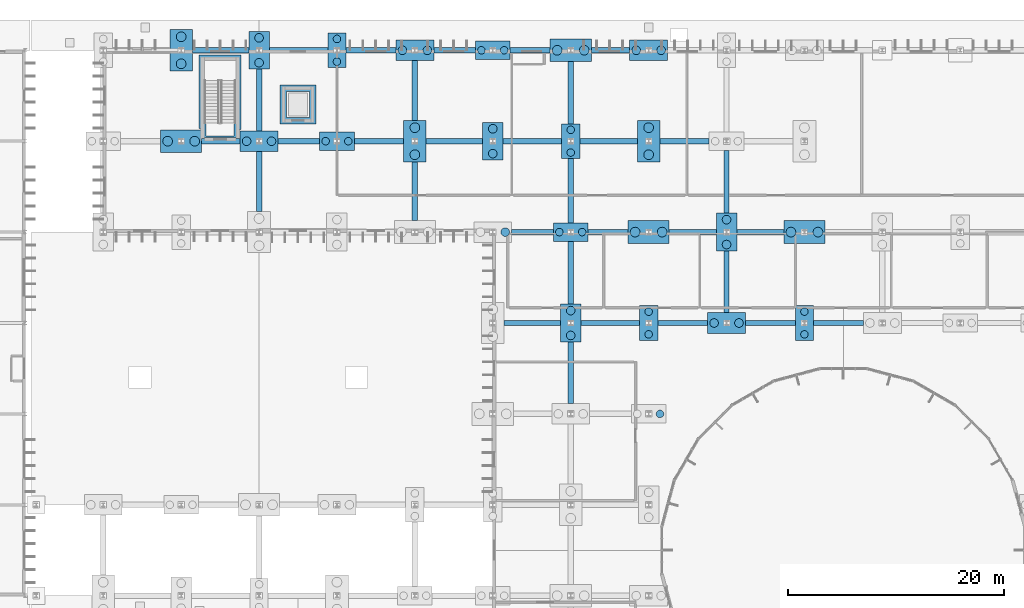
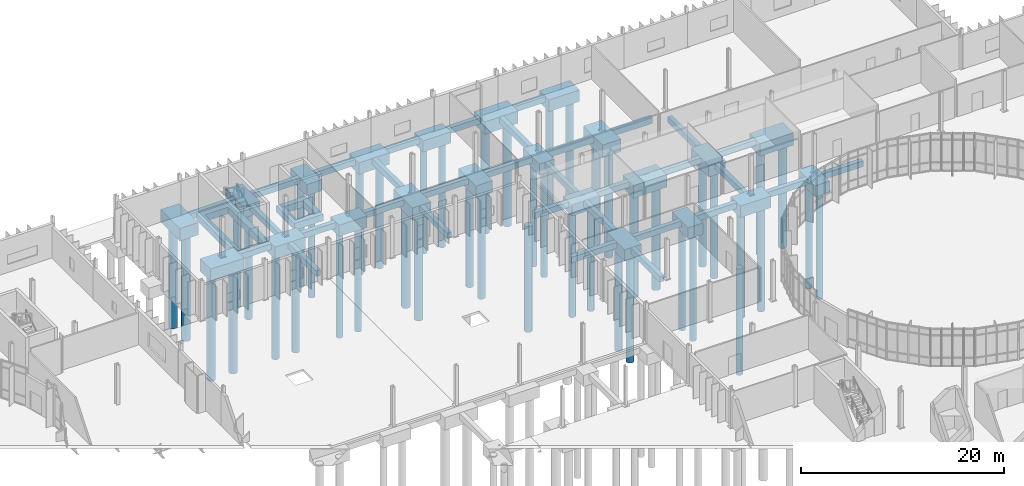
# One storey, part 4 of 118: 56 footings, 46 piles.
"""IFC4 building model written with IfcOpenShell, lengths in metres."""

from ifc_helpers import new_model, si_unit, direction, frame, origin, origin_2d, place, context, subcontext, project, spatial, polyline, rectangle, circle, outline, extrude, material, layer, layer_set, material_profile, profile_set, type_object, element, save


model = new_model("IFC4")

# Units and contexts
model_context = context("Model", 3, precision=1e-05, world=origin(), true_north=direction((0.0, 1.0)))
body_context = subcontext(model_context, "Body", "Model", "MODEL_VIEW")
ifc_project = project(units=[si_unit("LENGTHUNIT", "METRE"), si_unit("AREAUNIT", "SQUARE_METRE"), si_unit("VOLUMEUNIT", "CUBIC_METRE"), si_unit("PLANEANGLEUNIT", "RADIAN"), si_unit("MASSUNIT", "GRAM", prefix="KILO")], contexts=[model_context])

# Site, building, storey
site_placement = place(None, origin())
site = spatial("IfcSite", under=ifc_project, at=site_placement, CompositionType="ELEMENT")
building_placement = place(site_placement, origin())
building = spatial("IfcBuilding", under=site, at=building_placement, Name="Qelthora Terrace Specialist Clinic", CompositionType="ELEMENT")
storey_placement = place(building_placement, origin())
storey = spatial("IfcBuildingStorey", under=building, at=storey_placement, Name="L00", CompositionType="ELEMENT", Elevation=0.0)

# Footings
ifc_material = material(Name="Concrete C35/45", Category="concrete")
ifc_layer_1 = layer(ifc_material, 1.35009765625)
ifc_layer_set_1 = layer_set([ifc_layer_1], Name="Concrete C35/45")
footing_type_1 = type_object("IfcFootingType", Name="PC-1700X3200X1350", PredefinedType="PILE_CAP", material=ifc_layer_set_1)
for number, where, z_axis, x_axis, name in (
    (1, (79.199951171875, 109.199951171875, -1.610107421875), (0.0, 0.0, 1.0), (1.0, 0.0, 0.0), "Foundation FTG-L00-137"),
    (2, (100.800048828125, 100.800048828125, -1.610107421875), (0.0, 0.0, 1.0), (1.0, 0.0, 0.0), "Foundation FTG-L00-173"),
    (3, (108.0, 84.0, -1.610107421875), (0.0, 0.0, 1.0), (1.0, 0.0, 0.0), "Foundation FTG-L00-185"),
    (4, (122.39990234375, 84.0, -1.610107421875), (0.0, 0.0, 1.0), (1.0, 0.0, 0.0), "Foundation FTG-L00-203"),
):
    element("IfcFooting", number, at=place(storey_placement, frame(where, z_axis=z_axis, x_axis=x_axis)), inside=storey, type_object=footing_type_1, Name=name, PredefinedType="PILE_CAP", context=body_context, shape_type="SweptSolid", body=[
        extrude(rectangle(XDim=1.699951171875, YDim=3.199951171875, at=origin_2d()), origin(), (0.0, 0.0, 1.0), 1.35009765625),
    ])
ifc_layer_2 = layer(ifc_material, 1.39990234375)
ifc_layer_set_2 = layer_set([ifc_layer_2], Name="Concrete C35/45")
footing_type_2 = type_object("IfcFootingType", Name="PC-1900X3500X1400", PredefinedType="PILE_CAP", material=ifc_layer_set_2)
for number, where, z_axis, x_axis, name in (
    (5, (72.0, 109.199951171875, -1.659912109375), (0.0, 0.0, 1.0), (1.0, 0.0, 0.0), "Foundation FTG-L00-129"),
    (6, (93.60009765625, 100.800048828125, -1.659912109375), (0.0, 0.0, 1.0), (1.0, 0.0, 0.0), "Foundation FTG-L00-159"),
    (7, (100.800048828125, 84.0, -1.659912109375), (0.0, 0.0, 1.0), (1.0, 0.0, 0.0), "Foundation FTG-L00-171"),
    (8, (115.199951171875, 92.39990234375, -1.659912109375), (0.0, 0.0, 1.0), (1.0, 0.0, 0.0), "Foundation FTG-L00-195"),
):
    element("IfcFooting", number, at=place(storey_placement, frame(where, z_axis=z_axis, x_axis=x_axis)), inside=storey, type_object=footing_type_2, Name=name, PredefinedType="PILE_CAP", context=body_context, shape_type="SweptSolid", body=[
        extrude(rectangle(XDim=1.89990234375, YDim=3.5, at=origin_2d()), origin(), (0.0, 0.0, 1.0), 1.39990234375),
    ])
ifc_layer_3 = layer(ifc_material, 1.5)
ifc_layer_set_3 = layer_set([ifc_layer_3], Name="Concrete C35/45")
footing_type_3 = type_object("IfcFootingType", Name="PC-2100X3800X1500", PredefinedType="PILE_CAP", material=ifc_layer_set_3)
for number, where, z_axis, x_axis, name in (
    (9, (64.800048828125, 109.199951171875, -1.760009765625), (0.0, 0.0, 1.0), (1.0, 0.0, 0.0), "Foundation FTG-L00-121"),
    (10, (86.39990234375, 100.800048828125, -1.760009765625), (0.0, 0.0, 1.0), (1.0, 0.0, 0.0), "Foundation FTG-L00-145"),
    (11, (108.0, 100.800048828125, -1.760009765625), (0.0, 0.0, 1.0), (1.0, 0.0, 0.0), "Foundation FTG-L00-187"),
):
    element("IfcFooting", number, at=place(storey_placement, frame(where, z_axis=z_axis, x_axis=x_axis)), inside=storey, type_object=footing_type_3, Name=name, PredefinedType="PILE_CAP", context=body_context, shape_type="SweptSolid", body=[
        extrude(rectangle(XDim=2.10009765625, YDim=3.800048828125, at=origin_2d()), origin(), (0.0, 0.0, 1.0), 1.5),
    ])
ifc_layer_4 = layer(ifc_material, 1.35009765625)
ifc_layer_set_4 = layer_set([ifc_layer_4], Name="Concrete C35/45")
footing_type_4 = type_object("IfcFootingType", Name="PC-3200X1700X1350", PredefinedType="PILE_CAP", material=ifc_layer_set_4)
for number, where, z_axis, x_axis, name in (
    (12, (79.199951171875, 100.800048828125, -1.610107421875), (0.0, 0.0, 1.0), (1.0, 0.0, 0.0), "Foundation FTG-L00-136"),
    (13, (93.60009765625, 109.199951171875, -1.610107421875), (0.0, 0.0, 1.0), (1.0, 0.0, 0.0), "Foundation FTG-L00-160"),
    (14, (100.800048828125, 92.39990234375, -1.610107421875), (0.0, 0.0, 1.0), (1.0, 0.0, 0.0), "Foundation FTG-L00-172"),
):
    element("IfcFooting", number, at=place(storey_placement, frame(where, z_axis=z_axis, x_axis=x_axis)), inside=storey, type_object=footing_type_4, Name=name, PredefinedType="PILE_CAP", context=body_context, shape_type="SweptSolid", body=[
        extrude(rectangle(XDim=3.199951171875, YDim=1.699951171875, at=origin_2d()), origin(), (0.0, 0.0, 1.0), 1.35009765625),
    ])
ifc_layer_5 = layer(ifc_material, 1.39990234375)
ifc_layer_set_5 = layer_set([ifc_layer_5], Name="Concrete C35/45")
footing_type_5 = type_object("IfcFootingType", Name="PC-3500X1900X1400", PredefinedType="PILE_CAP", material=ifc_layer_set_5)
for number, where, z_axis, x_axis, name in (
    (15, (72.0, 100.800048828125, -1.659912109375), (0.0, 0.0, 1.0), (1.0, 0.0, 0.0), "Foundation FTG-L00-128"),
    (16, (86.39990234375, 109.199951171875, -1.659912109375), (0.0, 0.0, 1.0), (1.0, 0.0, 0.0), "Foundation FTG-L00-146"),
    (17, (108.0, 109.199951171875, -1.659912109375), (0.0, 0.0, 1.0), (1.0, 0.0, 0.0), "Foundation FTG-L00-188"),
    (18, (115.199951171875, 84.0, -1.659912109375), (0.0, 0.0, 1.0), (1.0, 0.0, 0.0), "Foundation FTG-L00-194"),
):
    element("IfcFooting", number, at=place(storey_placement, frame(where, z_axis=z_axis, x_axis=x_axis)), inside=storey, type_object=footing_type_5, Name=name, PredefinedType="PILE_CAP", context=body_context, shape_type="SweptSolid", body=[
        extrude(rectangle(XDim=3.5, YDim=1.89990234375, at=origin_2d()), origin(), (0.0, 0.0, 1.0), 1.39990234375),
    ])
ifc_layer_6 = layer(ifc_material, 1.5)
ifc_layer_set_6 = layer_set([ifc_layer_6], Name="Concrete C35/45")
footing_type_6 = type_object("IfcFootingType", Name="PC-3800X2100X1500", PredefinedType="PILE_CAP", material=ifc_layer_set_6)
for number, where, z_axis, x_axis, name in (
    (19, (64.800048828125, 100.800048828125, -1.760009765625), (0.0, 0.0, 1.0), (1.0, 0.0, 0.0), "Foundation FTG-L00-120"),
    (20, (100.800048828125, 109.199951171875, -1.760009765625), (0.0, 0.0, 1.0), (1.0, 0.0, 0.0), "Foundation FTG-L00-174"),
    (21, (108.0, 92.39990234375, -1.760009765625), (0.0, 0.0, 1.0), (1.0, 0.0, 0.0), "Foundation FTG-L00-186"),
    (22, (122.39990234375, 92.39990234375, -1.760009765625), (0.0, 0.0, 1.0), (1.0, 0.0, 0.0), "Foundation FTG-L00-204"),
):
    element("IfcFooting", number, at=place(storey_placement, frame(where, z_axis=z_axis, x_axis=x_axis)), inside=storey, type_object=footing_type_6, Name=name, PredefinedType="PILE_CAP", context=body_context, shape_type="SweptSolid", body=[
        extrude(rectangle(XDim=3.800048828125, YDim=2.10009765625, at=origin_2d()), origin(), (0.0, 0.0, 1.0), 1.5),
    ])

# Piles
ifc_material_profile_1 = material_profile(ifc_material, circle(Radius=0.35009765625, at=origin_2d()), Name="PILE700")
ifc_profile_set_1 = profile_set([ifc_material_profile_1], Name="Concrete C35/45")
pile_type_1 = type_object("IfcPileType", Name="PILE-D700-C35", PredefinedType="BORED", material=ifc_profile_set_1)
for number, where, z_axis, x_axis, name in (
    (23, (78.14990234375, 100.800048828125, -1.510009765625), (0.0, 0.0, -1.0), (1.0, 0.0, 0.0), "Bored pile PILE-L00-136-1"),
    (24, (80.25, 100.800048828125, -1.510009765625), (0.0, 0.0, -1.0), (1.0, 0.0, 0.0), "Bored pile PILE-L00-136-2"),
    (25, (79.199951171875, 108.14990234375, -1.510009765625), (0.0, 0.0, -1.0), (1.0, 0.0, 0.0), "Bored pile PILE-L00-137-1"),
    (26, (79.199951171875, 110.25, -1.510009765625), (0.0, 0.0, -1.0), (1.0, 0.0, 0.0), "Bored pile PILE-L00-137-2"),
    (27, (92.550048828125, 109.199951171875, -1.510009765625), (0.0, 0.0, -1.0), (1.0, 0.0, 0.0), "Bored pile PILE-L00-160-1"),
    (28, (94.64990234375, 109.199951171875, -1.510009765625), (0.0, 0.0, -1.0), (1.0, 0.0, 0.0), "Bored pile PILE-L00-160-2"),
    (29, (99.75, 92.39990234375, -1.510009765625), (0.0, 0.0, -1.0), (1.0, 0.0, 0.0), "Bored pile PILE-L00-172-1"),
    (30, (101.85009765625, 92.39990234375, -1.510009765625), (0.0, 0.0, -1.0), (1.0, 0.0, 0.0), "Bored pile PILE-L00-172-2"),
    (31, (100.800048828125, 99.75, -1.510009765625), (0.0, 0.0, -1.0), (1.0, 0.0, 0.0), "Bored pile PILE-L00-173-1"),
    (32, (100.800048828125, 101.85009765625, -1.510009765625), (0.0, 0.0, -1.0), (1.0, 0.0, 0.0), "Bored pile PILE-L00-173-2"),
    (33, (109.050048828125, 75.60009765625, -1.510009765625), (0.0, 0.0, -1.0), (1.0, 0.0, 0.0), "Bored pile PILE-L00-184-2"),
    (34, (108.0, 82.949951171875, -1.510009765625), (0.0, 0.0, -1.0), (1.0, 0.0, 0.0), "Bored pile PILE-L00-185-1"),
    (35, (108.0, 85.050048828125, -1.510009765625), (0.0, 0.0, -1.0), (1.0, 0.0, 0.0), "Bored pile PILE-L00-185-2"),
    (36, (122.39990234375, 82.949951171875, -1.510009765625), (0.0, 0.0, -1.0), (1.0, 0.0, 0.0), "Bored pile PILE-L00-203-1"),
    (37, (122.39990234375, 85.050048828125, -1.510009765625), (0.0, 0.0, -1.0), (1.0, 0.0, 0.0), "Bored pile PILE-L00-203-2"),
):
    element("IfcPile", number, at=place(storey_placement, frame(where, z_axis=z_axis, x_axis=x_axis)), inside=storey, type_object=pile_type_1, Name=name, PredefinedType="BORED", context=body_context, shape_type="SweptSolid", body=[
        extrude(circle(Radius=0.35009765625, at=origin_2d()), origin(), (0.0, 0.0, 1.0), 12.7900390625),
    ])
ifc_material_profile_2 = material_profile(ifc_material, circle(Radius=0.39990234375, at=origin_2d()), Name="PILE800")
ifc_profile_set_2 = profile_set([ifc_material_profile_2], Name="Concrete C35/45")
pile_type_2 = type_object("IfcPileType", Name="PILE-D800-C35", PredefinedType="BORED", material=ifc_profile_set_2)
for number, where, z_axis, x_axis, name in (
    (38, (70.85009765625, 100.800048828125, -1.56005859375), (0.0, 0.0, -1.0), (1.0, 0.0, 0.0), "Bored pile PILE-L00-128-1"),
    (39, (73.14990234375, 100.800048828125, -1.56005859375), (0.0, 0.0, -1.0), (1.0, 0.0, 0.0), "Bored pile PILE-L00-128-2"),
    (40, (72.0, 108.050048828125, -1.56005859375), (0.0, 0.0, -1.0), (1.0, 0.0, 0.0), "Bored pile PILE-L00-129-1"),
    (41, (72.0, 110.35009765625, -1.56005859375), (0.0, 0.0, -1.0), (1.0, 0.0, 0.0), "Bored pile PILE-L00-129-2"),
    (42, (85.25, 109.199951171875, -1.56005859375), (0.0, 0.0, -1.0), (1.0, 0.0, 0.0), "Bored pile PILE-L00-146-1"),
    (43, (87.550048828125, 109.199951171875, -1.56005859375), (0.0, 0.0, -1.0), (1.0, 0.0, 0.0), "Bored pile PILE-L00-146-2"),
    (44, (94.75, 92.39990234375, -1.56005859375), (0.0, 0.0, -1.0), (1.0, 0.0, 0.0), "Bored pile PILE-L00-158-2"),
    (45, (93.60009765625, 99.64990234375, -1.56005859375), (0.0, 0.0, -1.0), (1.0, 0.0, 0.0), "Bored pile PILE-L00-159-1"),
    (46, (93.60009765625, 101.949951171875, -1.56005859375), (0.0, 0.0, -1.0), (1.0, 0.0, 0.0), "Bored pile PILE-L00-159-2"),
    (47, (100.800048828125, 82.85009765625, -1.56005859375), (0.0, 0.0, -1.0), (1.0, 0.0, 0.0), "Bored pile PILE-L00-171-1"),
    (48, (100.800048828125, 85.14990234375, -1.56005859375), (0.0, 0.0, -1.0), (1.0, 0.0, 0.0), "Bored pile PILE-L00-171-2"),
    (49, (106.85009765625, 109.199951171875, -1.56005859375), (0.0, 0.0, -1.0), (1.0, 0.0, 0.0), "Bored pile PILE-L00-188-1"),
    (50, (109.14990234375, 109.199951171875, -1.56005859375), (0.0, 0.0, -1.0), (1.0, 0.0, 0.0), "Bored pile PILE-L00-188-2"),
    (51, (114.050048828125, 84.0, -1.56005859375), (0.0, 0.0, -1.0), (1.0, 0.0, 0.0), "Bored pile PILE-L00-194-1"),
    (52, (116.35009765625, 84.0, -1.56005859375), (0.0, 0.0, -1.0), (1.0, 0.0, 0.0), "Bored pile PILE-L00-194-2"),
    (53, (115.199951171875, 91.25, -1.56005859375), (0.0, 0.0, -1.0), (1.0, 0.0, 0.0), "Bored pile PILE-L00-195-1"),
    (54, (115.199951171875, 93.550048828125, -1.56005859375), (0.0, 0.0, -1.0), (1.0, 0.0, 0.0), "Bored pile PILE-L00-195-2"),
):
    element("IfcPile", number, at=place(storey_placement, frame(where, z_axis=z_axis, x_axis=x_axis)), inside=storey, type_object=pile_type_2, Name=name, PredefinedType="BORED", context=body_context, shape_type="SweptSolid", body=[
        extrude(circle(Radius=0.39990234375, at=origin_2d()), origin(), (0.0, 0.0, 1.0), 12.739990234375),
    ])
ifc_material_profile_3 = material_profile(ifc_material, circle(Radius=0.449951171875, at=origin_2d()), Name="PILE900")
ifc_profile_set_3 = profile_set([ifc_material_profile_3], Name="Concrete C35/45")
pile_type_3 = type_object("IfcPileType", Name="PILE-D900-C35", PredefinedType="BORED", material=ifc_profile_set_3)
for number, where, z_axis, x_axis, name in (
    (55, (63.550048828125, 100.800048828125, -1.659912109375), (0.0, 0.0, -1.0), (1.0, 0.0, 0.0), "Bored pile PILE-L00-120-1"),
    (56, (66.050048828125, 100.800048828125, -1.659912109375), (0.0, 0.0, -1.0), (1.0, 0.0, 0.0), "Bored pile PILE-L00-120-2"),
    (57, (64.800048828125, 107.949951171875, -1.659912109375), (0.0, 0.0, -1.0), (1.0, 0.0, 0.0), "Bored pile PILE-L00-121-1"),
    (58, (64.800048828125, 110.449951171875, -1.659912109375), (0.0, 0.0, -1.0), (1.0, 0.0, 0.0), "Bored pile PILE-L00-121-2"),
    (59, (86.39990234375, 99.550048828125, -1.659912109375), (0.0, 0.0, -1.0), (1.0, 0.0, 0.0), "Bored pile PILE-L00-145-1"),
    (60, (86.39990234375, 102.050048828125, -1.659912109375), (0.0, 0.0, -1.0), (1.0, 0.0, 0.0), "Bored pile PILE-L00-145-2"),
    (61, (99.550048828125, 109.199951171875, -1.659912109375), (0.0, 0.0, -1.0), (1.0, 0.0, 0.0), "Bored pile PILE-L00-174-1"),
    (62, (102.050048828125, 109.199951171875, -1.659912109375), (0.0, 0.0, -1.0), (1.0, 0.0, 0.0), "Bored pile PILE-L00-174-2"),
    (63, (106.75, 92.39990234375, -1.659912109375), (0.0, 0.0, -1.0), (1.0, 0.0, 0.0), "Bored pile PILE-L00-186-1"),
    (64, (109.25, 92.39990234375, -1.659912109375), (0.0, 0.0, -1.0), (1.0, 0.0, 0.0), "Bored pile PILE-L00-186-2"),
    (65, (108.0, 99.550048828125, -1.659912109375), (0.0, 0.0, -1.0), (1.0, 0.0, 0.0), "Bored pile PILE-L00-187-1"),
    (66, (108.0, 102.050048828125, -1.659912109375), (0.0, 0.0, -1.0), (1.0, 0.0, 0.0), "Bored pile PILE-L00-187-2"),
    (67, (121.14990234375, 92.39990234375, -1.659912109375), (0.0, 0.0, -1.0), (1.0, 0.0, 0.0), "Bored pile PILE-L00-204-1"),
    (68, (123.64990234375, 92.39990234375, -1.659912109375), (0.0, 0.0, -1.0), (1.0, 0.0, 0.0), "Bored pile PILE-L00-204-2"),
):
    element("IfcPile", number, at=place(storey_placement, frame(where, z_axis=z_axis, x_axis=x_axis)), inside=storey, type_object=pile_type_3, Name=name, PredefinedType="BORED", context=body_context, shape_type="SweptSolid", body=[
        extrude(circle(Radius=0.449951171875, at=origin_2d()), origin(), (0.0, 0.0, 1.0), 12.639892578125),
    ])

# Footings
ifc_layer_7 = layer(ifc_material, 0.699951171875)
ifc_layer_set_7 = layer_set([ifc_layer_7], Name="Concrete C35/45")
footing_type_7 = type_object("IfcFootingType", Name="SF-500X700-C35", PredefinedType="STRIP_FOOTING", material=ifc_layer_set_7)
footing_1_placement = place(storey_placement, frame((0.0, 0.0, -0.9599609375)))
element("IfcFooting", 69, at=footing_1_placement, inside=storey, type_object=footing_type_7, Name="Foundation tie strip SF-X-152", PredefinedType="STRIP_FOOTING", context=body_context, shape_type="SweptSolid", body=[
    extrude(outline(polyline([(66.699951171875, 100.550048828125), (70.25, 100.550048828125), (70.25, 101.050048828125), (66.699951171875, 101.050048828125), (66.699951171875, 100.550048828125)])), origin(), (0.0, 0.0, 1.0), 0.699951171875),
])
footing_2_placement = place(storey_placement, frame((0.0, 0.0, -0.9599609375)))
element("IfcFooting", 70, at=footing_2_placement, inside=storey, type_object=footing_type_7, Name="Foundation tie strip SF-X-153", PredefinedType="STRIP_FOOTING", context=body_context, shape_type="SweptSolid", body=[
    extrude(outline(polyline([(65.85009765625, 108.949951171875), (71.050048828125, 108.949951171875), (71.050048828125, 109.449951171875), (65.85009765625, 109.449951171875), (65.85009765625, 108.949951171875)])), origin(), (0.0, 0.0, 1.0), 0.699951171875),
])
footing_3_placement = place(storey_placement, frame((0.0, 0.0, -0.9599609375)))
element("IfcFooting", 71, at=footing_3_placement, inside=storey, type_object=footing_type_7, Name="Foundation tie strip SF-Y-162", PredefinedType="STRIP_FOOTING", context=body_context, shape_type="SweptSolid", body=[
    extrude(outline(polyline([(71.75, 94.300048828125), (72.25, 94.300048828125), (72.25, 99.85009765625), (71.75, 99.85009765625), (71.75, 94.300048828125)])), origin(), (0.0, 0.0, 1.0), 0.699951171875),
])
footing_4_placement = place(storey_placement, frame((0.0, 0.0, -0.9599609375)))
element("IfcFooting", 72, at=footing_4_placement, inside=storey, type_object=footing_type_7, Name="Foundation tie strip SF-X-163", PredefinedType="STRIP_FOOTING", context=body_context, shape_type="SweptSolid", body=[
    extrude(outline(polyline([(73.75, 100.550048828125), (77.60009765625, 100.550048828125), (77.60009765625, 101.050048828125), (73.75, 101.050048828125), (73.75, 100.550048828125)])), origin(), (0.0, 0.0, 1.0), 0.699951171875),
])
footing_5_placement = place(storey_placement, frame((0.0, 0.0, -0.9599609375)))
element("IfcFooting", 73, at=footing_5_placement, inside=storey, type_object=footing_type_7, Name="Foundation tie strip SF-Y-164", PredefinedType="STRIP_FOOTING", context=body_context, shape_type="SweptSolid", body=[
    extrude(outline(polyline([(71.75, 101.75), (72.25, 101.75), (72.25, 107.449951171875), (71.75, 107.449951171875), (71.75, 101.75)])), origin(), (0.0, 0.0, 1.0), 0.699951171875),
])
footing_6_placement = place(storey_placement, frame((0.0, 0.0, -0.9599609375)))
element("IfcFooting", 74, at=footing_6_placement, inside=storey, type_object=footing_type_7, Name="Foundation tie strip SF-X-165", PredefinedType="STRIP_FOOTING", context=body_context, shape_type="SweptSolid", body=[
    extrude(outline(polyline([(72.949951171875, 108.949951171875), (78.35009765625, 108.949951171875), (78.35009765625, 109.449951171875), (72.949951171875, 109.449951171875), (72.949951171875, 108.949951171875)])), origin(), (0.0, 0.0, 1.0), 0.699951171875),
])
footing_7_placement = place(storey_placement, frame((0.0, 0.0, -0.9599609375)))
element("IfcFooting", 75, at=footing_7_placement, inside=storey, type_object=footing_type_7, Name="Foundation tie strip SF-X-172", PredefinedType="STRIP_FOOTING", context=body_context, shape_type="SweptSolid", body=[
    extrude(outline(polyline([(80.800048828125, 100.550048828125), (85.35009765625, 100.550048828125), (85.35009765625, 101.050048828125), (80.800048828125, 101.050048828125), (80.800048828125, 100.550048828125)])), origin(), (0.0, 0.0, 1.0), 0.699951171875),
])
footing_8_placement = place(storey_placement, frame((0.0, 0.0, -0.9599609375)))
element("IfcFooting", 76, at=footing_8_placement, inside=storey, type_object=footing_type_7, Name="Foundation tie strip SF-X-173", PredefinedType="STRIP_FOOTING", context=body_context, shape_type="SweptSolid", body=[
    extrude(outline(polyline([(80.050048828125, 108.949951171875), (84.64990234375, 108.949951171875), (84.64990234375, 109.449951171875), (80.050048828125, 109.449951171875), (80.050048828125, 108.949951171875)])), origin(), (0.0, 0.0, 1.0), 0.699951171875),
])
footing_9_placement = place(storey_placement, frame((0.0, 0.0, -0.9599609375)))
element("IfcFooting", 77, at=footing_9_placement, inside=storey, type_object=footing_type_7, Name="Foundation tie strip SF-Y-184", PredefinedType="STRIP_FOOTING", context=body_context, shape_type="SweptSolid", body=[
    extrude(outline(polyline([(86.14990234375, 93.449951171875), (86.64990234375, 93.449951171875), (86.64990234375, 98.89990234375), (86.14990234375, 98.89990234375), (86.14990234375, 93.449951171875)])), origin(), (0.0, 0.0, 1.0), 0.699951171875),
])
footing_10_placement = place(storey_placement, frame((0.0, 0.0, -0.9599609375)))
element("IfcFooting", 78, at=footing_10_placement, inside=storey, type_object=footing_type_7, Name="Foundation tie strip SF-X-185", PredefinedType="STRIP_FOOTING", context=body_context, shape_type="SweptSolid", body=[
    extrude(outline(polyline([(87.449951171875, 100.550048828125), (92.64990234375, 100.550048828125), (92.64990234375, 101.050048828125), (87.449951171875, 101.050048828125), (87.449951171875, 100.550048828125)])), origin(), (0.0, 0.0, 1.0), 0.699951171875),
])
footing_11_placement = place(storey_placement, frame((0.0, 0.0, -0.9599609375)))
element("IfcFooting", 79, at=footing_11_placement, inside=storey, type_object=footing_type_7, Name="Foundation tie strip SF-Y-186", PredefinedType="STRIP_FOOTING", context=body_context, shape_type="SweptSolid", body=[
    extrude(outline(polyline([(86.14990234375, 102.699951171875), (86.64990234375, 102.699951171875), (86.64990234375, 108.25), (86.14990234375, 108.25), (86.14990234375, 102.699951171875)])), origin(), (0.0, 0.0, 1.0), 0.699951171875),
])
footing_12_placement = place(storey_placement, frame((0.0, 0.0, -0.9599609375)))
element("IfcFooting", 80, at=footing_12_placement, inside=storey, type_object=footing_type_7, Name="Foundation tie strip SF-X-187", PredefinedType="STRIP_FOOTING", context=body_context, shape_type="SweptSolid", body=[
    extrude(outline(polyline([(88.14990234375, 108.949951171875), (92.0, 108.949951171875), (92.0, 109.449951171875), (88.14990234375, 109.449951171875), (88.14990234375, 108.949951171875)])), origin(), (0.0, 0.0, 1.0), 0.699951171875),
])
footing_13_placement = place(storey_placement, frame((0.0, 0.0, -0.9599609375)))
element("IfcFooting", 81, at=footing_13_placement, inside=storey, type_object=footing_type_7, Name="Foundation tie strip SF-X-198", PredefinedType="STRIP_FOOTING", context=body_context, shape_type="SweptSolid", body=[
    extrude(outline(polyline([(94.64990234375, 83.75), (99.85009765625, 83.75), (99.85009765625, 84.25), (94.64990234375, 84.25), (94.64990234375, 83.75)])), origin(), (0.0, 0.0, 1.0), 0.699951171875),
])
footing_14_placement = place(storey_placement, frame((0.0, 0.0, -0.9599609375)))
element("IfcFooting", 82, at=footing_14_placement, inside=storey, type_object=footing_type_7, Name="Foundation tie strip SF-X-199", PredefinedType="STRIP_FOOTING", context=body_context, shape_type="SweptSolid", body=[
    extrude(outline(polyline([(95.35009765625, 92.14990234375), (99.199951171875, 92.14990234375), (99.199951171875, 92.64990234375), (95.35009765625, 92.64990234375), (95.35009765625, 92.14990234375)])), origin(), (0.0, 0.0, 1.0), 0.699951171875),
])
footing_15_placement = place(storey_placement, frame((0.0, 0.0, -0.9599609375)))
element("IfcFooting", 83, at=footing_15_placement, inside=storey, type_object=footing_type_7, Name="Foundation tie strip SF-X-200", PredefinedType="STRIP_FOOTING", context=body_context, shape_type="SweptSolid", body=[
    extrude(outline(polyline([(94.550048828125, 100.550048828125), (99.949951171875, 100.550048828125), (99.949951171875, 101.050048828125), (94.550048828125, 101.050048828125), (94.550048828125, 100.550048828125)])), origin(), (0.0, 0.0, 1.0), 0.699951171875),
])
footing_16_placement = place(storey_placement, frame((0.0, 0.0, -0.9599609375)))
element("IfcFooting", 84, at=footing_16_placement, inside=storey, type_object=footing_type_7, Name="Foundation tie strip SF-X-201", PredefinedType="STRIP_FOOTING", context=body_context, shape_type="SweptSolid", body=[
    extrude(outline(polyline([(95.199951171875, 108.949951171875), (98.89990234375, 108.949951171875), (98.89990234375, 109.449951171875), (95.199951171875, 109.449951171875), (95.199951171875, 108.949951171875)])), origin(), (0.0, 0.0, 1.0), 0.699951171875),
])
footing_17_placement = place(storey_placement, frame((0.0, 0.0, -0.9599609375)))
element("IfcFooting", 85, at=footing_17_placement, inside=storey, type_object=footing_type_7, Name="Foundation tie strip SF-Y-221", PredefinedType="STRIP_FOOTING", context=body_context, shape_type="SweptSolid", body=[
    extrude(outline(polyline([(100.550048828125, 76.550048828125), (101.050048828125, 76.550048828125), (101.050048828125, 82.25), (100.550048828125, 82.25), (100.550048828125, 76.550048828125)])), origin(), (0.0, 0.0, 1.0), 0.699951171875),
])
footing_18_placement = place(storey_placement, frame((0.0, 0.0, -0.9599609375)))
element("IfcFooting", 86, at=footing_18_placement, inside=storey, type_object=footing_type_7, Name="Foundation tie strip SF-X-222", PredefinedType="STRIP_FOOTING", context=body_context, shape_type="SweptSolid", body=[
    extrude(outline(polyline([(101.75, 83.75), (107.14990234375, 83.75), (107.14990234375, 84.25), (101.75, 84.25), (101.75, 83.75)])), origin(), (0.0, 0.0, 1.0), 0.699951171875),
])
footing_19_placement = place(storey_placement, frame((0.0, 0.0, -0.9599609375)))
element("IfcFooting", 87, at=footing_19_placement, inside=storey, type_object=footing_type_7, Name="Foundation tie strip SF-Y-223", PredefinedType="STRIP_FOOTING", context=body_context, shape_type="SweptSolid", body=[
    extrude(outline(polyline([(100.550048828125, 85.75), (101.050048828125, 85.75), (101.050048828125, 91.550048828125), (100.550048828125, 91.550048828125), (100.550048828125, 85.75)])), origin(), (0.0, 0.0, 1.0), 0.699951171875),
])
footing_20_placement = place(storey_placement, frame((0.0, 0.0, -0.9599609375)))
element("IfcFooting", 88, at=footing_20_placement, inside=storey, type_object=footing_type_7, Name="Foundation tie strip SF-X-224", PredefinedType="STRIP_FOOTING", context=body_context, shape_type="SweptSolid", body=[
    extrude(outline(polyline([(102.39990234375, 92.14990234375), (106.10009765625, 92.14990234375), (106.10009765625, 92.64990234375), (102.39990234375, 92.64990234375), (102.39990234375, 92.14990234375)])), origin(), (0.0, 0.0, 1.0), 0.699951171875),
])
footing_21_placement = place(storey_placement, frame((0.0, 0.0, -0.9599609375)))
element("IfcFooting", 89, at=footing_21_placement, inside=storey, type_object=footing_type_7, Name="Foundation tie strip SF-Y-225", PredefinedType="STRIP_FOOTING", context=body_context, shape_type="SweptSolid", body=[
    extrude(outline(polyline([(100.550048828125, 93.25), (101.050048828125, 93.25), (101.050048828125, 99.199951171875), (100.550048828125, 99.199951171875), (100.550048828125, 93.25)])), origin(), (0.0, 0.0, 1.0), 0.699951171875),
])
footing_22_placement = place(storey_placement, frame((0.0, 0.0, -0.9599609375)))
element("IfcFooting", 90, at=footing_22_placement, inside=storey, type_object=footing_type_7, Name="Foundation tie strip SF-X-226", PredefinedType="STRIP_FOOTING", context=body_context, shape_type="SweptSolid", body=[
    extrude(outline(polyline([(101.64990234375, 100.550048828125), (106.949951171875, 100.550048828125), (106.949951171875, 101.050048828125), (101.64990234375, 101.050048828125), (101.64990234375, 100.550048828125)])), origin(), (0.0, 0.0, 1.0), 0.699951171875),
])
footing_23_placement = place(storey_placement, frame((0.0, 0.0, -0.9599609375)))
element("IfcFooting", 91, at=footing_23_placement, inside=storey, type_object=footing_type_7, Name="Foundation tie strip SF-Y-227", PredefinedType="STRIP_FOOTING", context=body_context, shape_type="SweptSolid", body=[
    extrude(outline(polyline([(100.550048828125, 102.39990234375), (101.050048828125, 102.39990234375), (101.050048828125, 108.14990234375), (100.550048828125, 108.14990234375), (100.550048828125, 102.39990234375)])), origin(), (0.0, 0.0, 1.0), 0.699951171875),
])
footing_24_placement = place(storey_placement, frame((0.0, 0.0, -0.9599609375)))
element("IfcFooting", 92, at=footing_24_placement, inside=storey, type_object=footing_type_7, Name="Foundation tie strip SF-X-228", PredefinedType="STRIP_FOOTING", context=body_context, shape_type="SweptSolid", body=[
    extrude(outline(polyline([(102.699951171875, 108.949951171875), (106.25, 108.949951171875), (106.25, 109.449951171875), (102.699951171875, 109.449951171875), (102.699951171875, 108.949951171875)])), origin(), (0.0, 0.0, 1.0), 0.699951171875),
])
footing_25_placement = place(storey_placement, frame((0.0, 0.0, -0.9599609375)))
element("IfcFooting", 93, at=footing_25_placement, inside=storey, type_object=footing_type_7, Name="Foundation tie strip SF-X-234", PredefinedType="STRIP_FOOTING", context=body_context, shape_type="SweptSolid", body=[
    extrude(outline(polyline([(108.85009765625, 83.75), (113.449951171875, 83.75), (113.449951171875, 84.25), (108.85009765625, 84.25), (108.85009765625, 83.75)])), origin(), (0.0, 0.0, 1.0), 0.699951171875),
])
footing_26_placement = place(storey_placement, frame((0.0, 0.0, -0.9599609375)))
element("IfcFooting", 94, at=footing_26_placement, inside=storey, type_object=footing_type_7, Name="Foundation tie strip SF-X-235", PredefinedType="STRIP_FOOTING", context=body_context, shape_type="SweptSolid", body=[
    extrude(outline(polyline([(109.89990234375, 92.14990234375), (114.25, 92.14990234375), (114.25, 92.64990234375), (109.89990234375, 92.64990234375), (109.89990234375, 92.14990234375)])), origin(), (0.0, 0.0, 1.0), 0.699951171875),
])
footing_27_placement = place(storey_placement, frame((0.0, 0.0, -0.9599609375)))
element("IfcFooting", 95, at=footing_27_placement, inside=storey, type_object=footing_type_7, Name="Foundation tie strip SF-X-236", PredefinedType="STRIP_FOOTING", context=body_context, shape_type="SweptSolid", body=[
    extrude(outline(polyline([(109.050048828125, 100.550048828125), (113.60009765625, 100.550048828125), (113.60009765625, 101.050048828125), (109.050048828125, 101.050048828125), (109.050048828125, 100.550048828125)])), origin(), (0.0, 0.0, 1.0), 0.699951171875),
])
footing_28_placement = place(storey_placement, frame((0.0, 0.0, -0.9599609375)))
element("IfcFooting", 96, at=footing_28_placement, inside=storey, type_object=footing_type_7, Name="Foundation tie strip SF-X-246", PredefinedType="STRIP_FOOTING", context=body_context, shape_type="SweptSolid", body=[
    extrude(outline(polyline([(116.949951171875, 83.75), (121.550048828125, 83.75), (121.550048828125, 84.25), (116.949951171875, 84.25), (116.949951171875, 83.75)])), origin(), (0.0, 0.0, 1.0), 0.699951171875),
])
footing_29_placement = place(storey_placement, frame((0.0, 0.0, -0.9599609375)))
element("IfcFooting", 97, at=footing_29_placement, inside=storey, type_object=footing_type_7, Name="Foundation tie strip SF-Y-247", PredefinedType="STRIP_FOOTING", context=body_context, shape_type="SweptSolid", body=[
    extrude(outline(polyline([(114.949951171875, 84.949951171875), (115.449951171875, 84.949951171875), (115.449951171875, 90.64990234375), (114.949951171875, 90.64990234375), (114.949951171875, 84.949951171875)])), origin(), (0.0, 0.0, 1.0), 0.699951171875),
])
footing_30_placement = place(storey_placement, frame((0.0, 0.0, -0.9599609375)))
element("IfcFooting", 98, at=footing_30_placement, inside=storey, type_object=footing_type_7, Name="Foundation tie strip SF-X-248", PredefinedType="STRIP_FOOTING", context=body_context, shape_type="SweptSolid", body=[
    extrude(outline(polyline([(116.14990234375, 92.14990234375), (120.5, 92.14990234375), (120.5, 92.64990234375), (116.14990234375, 92.64990234375), (116.14990234375, 92.14990234375)])), origin(), (0.0, 0.0, 1.0), 0.699951171875),
])
footing_31_placement = place(storey_placement, frame((0.0, 0.0, -0.9599609375)))
element("IfcFooting", 99, at=footing_31_placement, inside=storey, type_object=footing_type_7, Name="Foundation tie strip SF-Y-249", PredefinedType="STRIP_FOOTING", context=body_context, shape_type="SweptSolid", body=[
    extrude(outline(polyline([(114.949951171875, 94.14990234375), (115.449951171875, 94.14990234375), (115.449951171875, 99.949951171875), (114.949951171875, 99.949951171875), (114.949951171875, 94.14990234375)])), origin(), (0.0, 0.0, 1.0), 0.699951171875),
])
footing_32_placement = place(storey_placement, frame((0.0, 0.0, -0.9599609375)))
element("IfcFooting", 100, at=footing_32_placement, inside=storey, type_object=footing_type_7, Name="Foundation tie strip SF-X-258", PredefinedType="STRIP_FOOTING", context=body_context, shape_type="SweptSolid", body=[
    extrude(outline(polyline([(123.25, 83.75), (127.85009765625, 83.75), (127.85009765625, 84.25), (123.25, 84.25), (123.25, 83.75)])), origin(), (0.0, 0.0, 1.0), 0.699951171875),
])
ifc_layer_8 = layer(ifc_material, 0.800048828125)
ifc_layer_set_8 = layer_set([ifc_layer_8], Name="Concrete C35/45")
footing_type_8 = type_object("IfcFootingType", Name="SF-600X800-C35", PredefinedType="STRIP_FOOTING", material=ifc_layer_set_8)
footing_33_placement = place(storey_placement, frame((0.0, 0.0, -1.06005859375)))
element("IfcFooting", 101, at=footing_33_placement, inside=storey, type_object=footing_type_8, Name="Core wall strip footing ST-07-03", PredefinedType="STRIP_FOOTING", context=body_context, shape_type="SweptSolid", body=[
    extrude(outline(polyline([(70.35009765625, 108.75), (70.35009765625, 101.8701171875), (70.1298828125, 101.8701171875), (70.1298828125, 101.1298828125), (66.820068359375, 101.1298828125), (66.820068359375, 101.969970703125), (66.449951171875, 101.969970703125), (66.449951171875, 108.75), (70.35009765625, 108.75)]), holes=[polyline([(69.699951171875, 108.10009765625), (67.10009765625, 108.10009765625), (67.10009765625, 101.300048828125), (69.699951171875, 101.300048828125), (69.699951171875, 108.10009765625)])]), origin(), (0.0, 0.0, 1.0), 0.800048828125),
])
footing_34_placement = place(storey_placement, frame((0.0, 0.0, -1.06005859375)))
element("IfcFooting", 102, at=footing_34_placement, inside=storey, type_object=footing_type_8, Name="Core wall strip footing PL-04-07", PredefinedType="STRIP_FOOTING", context=body_context, shape_type="SweptSolid", body=[
    extrude(outline(polyline([(77.25, 106.0), (77.25, 102.39990234375), (73.949951171875, 102.39990234375), (73.949951171875, 106.0), (77.25, 106.0)]), holes=[polyline([(76.64990234375, 105.39990234375), (74.550048828125, 105.39990234375), (74.550048828125, 103.0), (76.64990234375, 103.0), (76.64990234375, 105.39990234375)])]), origin(), (0.0, 0.0, 1.0), 0.800048828125),
])

save(model, "model.ifc")
